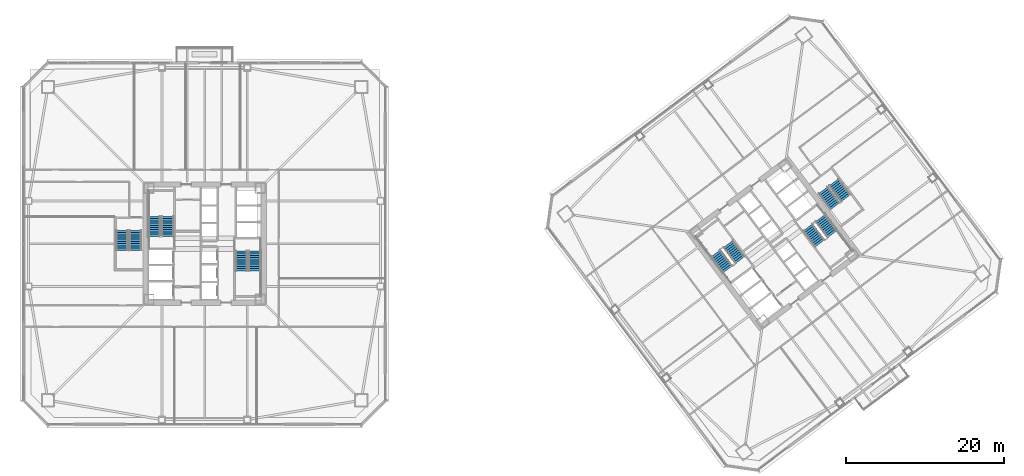
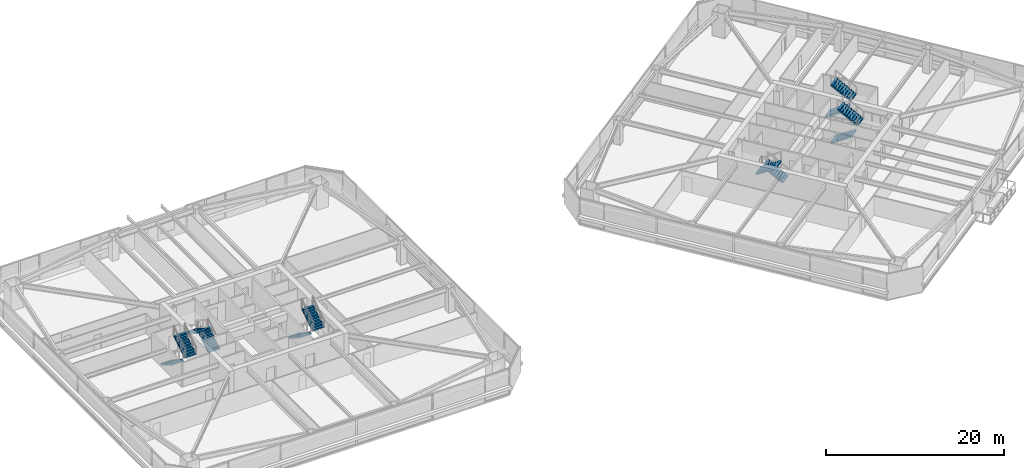
# One storey, part 43 of 51: 12 stair flights, 6 elements without a shape of their own.
"""IFC4 building model written with IfcOpenShell, lengths in metres."""

from ifc_helpers import new_model, si_unit, direction, frame, origin, place, context, subcontext, project, spatial, polyline, outline, extrude, material, type_object, element, aggregate, save


model = new_model("IFC4")

# Units and contexts
model_context = context("Model", 3, precision=1e-05, world=origin(), true_north=direction((0.0, 1.0)))
body_context = subcontext(model_context, "Body", "Model", "MODEL_VIEW")
ifc_project = project(units=[si_unit("LENGTHUNIT", "METRE"), si_unit("AREAUNIT", "SQUARE_METRE"), si_unit("VOLUMEUNIT", "CUBIC_METRE"), si_unit("PLANEANGLEUNIT", "RADIAN"), si_unit("MASSUNIT", "GRAM", prefix="KILO")], contexts=[model_context])

# Site, building, storey
site_placement = place(None, origin())
site = spatial("IfcSite", under=ifc_project, at=site_placement, CompositionType="ELEMENT")
building_placement = place(site_placement, origin())
building = spatial("IfcBuilding", under=site, at=building_placement, Name="Tashvorn Skyway Center", CompositionType="ELEMENT")
storey_placement = place(building_placement, frame((0.0, 0.0, 49.449951171875)))
storey = spatial("IfcBuildingStorey", under=building, at=storey_placement, Name="L12", CompositionType="ELEMENT", Elevation=49.449951171875)

# Stair, stair flights
ifc_material = material(Name="Concrete C40/50", Category="concrete")
stair_type = type_object("IfcStairType", Name="STAIR-CORE-1500", PredefinedType="HALF_TURN_STAIR", material=ifc_material)
stair_1_placement = place(storey_placement, origin())
stair_1 = element("IfcStair", 1, at=stair_1_placement, inside=storey, type_object=stair_type, Name="L12 Tower 1 Exit Stair 1", PredefinedType="HALF_TURN_STAIR")
stair_flight_type = type_object("IfcStairFlightType", Name="SFLIGHT-1500", PredefinedType="STRAIGHT", material=ifc_material)
stair_flight_1_placement = place(storey_placement, frame((37.35009765625, 32.919921875, 0.0), z_axis=(0.0, 0.0, 1.0), x_axis=(0.0, 1.0, 0.0)))
stair_flight_1 = element("IfcStairFlight", 2, at=stair_flight_1_placement, type_object=stair_flight_type, Name="ST-T1-1 flight 1", NumberOfRisers=10, NumberOfTreads=9, PredefinedType="STRAIGHT", RiserHeight=0.1775, TreadLength=0.28, context=body_context, shape_type="SweptSolid", body=[
    extrude(outline(polyline([(0.0, 0.0), (0.0, 0.177490234375), (0.280029296875, 0.177490234375), (0.280029296875, 0.35498046875), (0.56005859375, 0.35498046875), (0.56005859375, 0.532470703125), (0.840087890625, 0.532470703125), (0.840087890625, 0.7099609375), (1.1201171875, 0.7099609375), (1.1201171875, 0.887451171875), (1.39990234375, 0.887451171875), (1.39990234375, 1.06494140625), (1.679931640625, 1.06494140625), (1.679931640625, 1.242431640625), (1.9599609375, 1.242431640625), (1.9599609375, 1.419921875), (2.239990234375, 1.419921875), (2.239990234375, 1.597412109375), (2.52001953125, 1.597412109375), (2.52001953125, 1.77490234375), (2.52001953125, 1.419921875), (0.280029296875, 0.0), (0.0, 0.0)])), frame((0.0, 0.75, 0.0), z_axis=(0.0, -1.0, 0.0), x_axis=(1.0, 0.0, 0.0)), (0.0, 0.0, 1.0), 1.5),
])
stair_flight_2_placement = place(storey_placement, frame((35.64990234375, 35.43994140625, 1.775146484375), z_axis=(0.0, 0.0, 1.0), x_axis=(0.0, -1.0, 0.0)))
stair_flight_2 = element("IfcStairFlight", 3, at=stair_flight_2_placement, type_object=stair_flight_type, Name="ST-T1-1 flight 2", NumberOfRisers=10, NumberOfTreads=9, PredefinedType="STRAIGHT", RiserHeight=0.1775, TreadLength=0.28, context=body_context, shape_type="SweptSolid", body=[
    extrude(outline(polyline([(0.0, 0.0), (0.0, 0.177490234375), (0.280029296875, 0.177490234375), (0.280029296875, 0.35498046875), (0.56005859375, 0.35498046875), (0.56005859375, 0.532470703125), (0.840087890625, 0.532470703125), (0.840087890625, 0.7099609375), (1.1201171875, 0.7099609375), (1.1201171875, 0.887451171875), (1.39990234375, 0.887451171875), (1.39990234375, 1.06494140625), (1.679931640625, 1.06494140625), (1.679931640625, 1.242431640625), (1.9599609375, 1.242431640625), (1.9599609375, 1.419921875), (2.239990234375, 1.419921875), (2.239990234375, 1.597412109375), (2.52001953125, 1.597412109375), (2.52001953125, 1.77490234375), (2.52001953125, 1.419921875), (0.280029296875, 0.0), (0.0, 0.0)])), frame((0.0, 0.75, 0.0), z_axis=(0.0, -1.0, 0.0), x_axis=(1.0, 0.0, 0.0)), (0.0, 0.0, 1.0), 1.5),
])
aggregate(stair_1, [stair_flight_1, stair_flight_2])

stair_2_placement = place(storey_placement, origin())
stair_2 = element("IfcStair", 4, at=stair_2_placement, inside=storey, type_object=stair_type, Name="L12 Tower 1 Exit Stair 2", PredefinedType="HALF_TURN_STAIR")
stair_flight_3_placement = place(storey_placement, frame((46.64990234375, 31.080078125, 0.0), z_axis=(0.0, 0.0, 1.0), x_axis=(0.0, -1.0, 0.0)))
stair_flight_3 = element("IfcStairFlight", 5, at=stair_flight_3_placement, type_object=stair_flight_type, Name="ST-T1-2 flight 1", NumberOfRisers=10, NumberOfTreads=9, PredefinedType="STRAIGHT", RiserHeight=0.1775, TreadLength=0.28, context=body_context, shape_type="SweptSolid", body=[
    extrude(outline(polyline([(0.0, 0.0), (0.0, 0.177490234375), (0.280029296875, 0.177490234375), (0.280029296875, 0.35498046875), (0.56005859375, 0.35498046875), (0.56005859375, 0.532470703125), (0.840087890625, 0.532470703125), (0.840087890625, 0.7099609375), (1.1201171875, 0.7099609375), (1.1201171875, 0.887451171875), (1.39990234375, 0.887451171875), (1.39990234375, 1.06494140625), (1.679931640625, 1.06494140625), (1.679931640625, 1.242431640625), (1.9599609375, 1.242431640625), (1.9599609375, 1.419921875), (2.239990234375, 1.419921875), (2.239990234375, 1.597412109375), (2.52001953125, 1.597412109375), (2.52001953125, 1.77490234375), (2.52001953125, 1.419921875), (0.280029296875, 0.0), (0.0, 0.0)])), frame((0.0, 0.75, 0.0), z_axis=(0.0, -1.0, 0.0), x_axis=(1.0, 0.0, 0.0)), (0.0, 0.0, 1.0), 1.5),
])
stair_flight_4_placement = place(storey_placement, frame((48.35009765625, 28.56005859375, 1.775146484375), z_axis=(0.0, 0.0, 1.0), x_axis=(0.0, 1.0, 0.0)))
stair_flight_4 = element("IfcStairFlight", 6, at=stair_flight_4_placement, type_object=stair_flight_type, Name="ST-T1-2 flight 2", NumberOfRisers=10, NumberOfTreads=9, PredefinedType="STRAIGHT", RiserHeight=0.1775, TreadLength=0.28, context=body_context, shape_type="SweptSolid", body=[
    extrude(outline(polyline([(0.0, 0.0), (0.0, 0.177490234375), (0.280029296875, 0.177490234375), (0.280029296875, 0.35498046875), (0.56005859375, 0.35498046875), (0.56005859375, 0.532470703125), (0.840087890625, 0.532470703125), (0.840087890625, 0.7099609375), (1.1201171875, 0.7099609375), (1.1201171875, 0.887451171875), (1.39990234375, 0.887451171875), (1.39990234375, 1.06494140625), (1.679931640625, 1.06494140625), (1.679931640625, 1.242431640625), (1.9599609375, 1.242431640625), (1.9599609375, 1.419921875), (2.239990234375, 1.419921875), (2.239990234375, 1.597412109375), (2.52001953125, 1.597412109375), (2.52001953125, 1.77490234375), (2.52001953125, 1.419921875), (0.280029296875, 0.0), (0.0, 0.0)])), frame((0.0, 0.75, 0.0), z_axis=(0.0, -1.0, 0.0), x_axis=(1.0, 0.0, 0.0)), (0.0, 0.0, 1.0), 1.5),
])
aggregate(stair_2, [stair_flight_3, stair_flight_4])

stair_3_placement = place(storey_placement, origin())
stair_3 = element("IfcStair", 7, at=stair_3_placement, inside=storey, type_object=stair_type, Name="L12 Tower 2 Exit Stair 1", PredefinedType="HALF_TURN_STAIR")
stair_flight_5_placement = place(storey_placement, frame((109.72802734375, 29.946044921875, 0.0), z_axis=(0.0, 0.0, 1.0), x_axis=(-0.600000004945, 0.799999996291, 0.0)))
stair_flight_5 = element("IfcStairFlight", 8, at=stair_flight_5_placement, type_object=stair_flight_type, Name="ST-T2-1 flight 1", NumberOfRisers=10, NumberOfTreads=9, PredefinedType="STRAIGHT", RiserHeight=0.1775, TreadLength=0.28, context=body_context, shape_type="SweptSolid", body=[
    extrude(outline(polyline([(0.0, 0.0), (0.0, 0.177490234375), (0.280029296875, 0.177490234375), (0.280029296875, 0.35498046875), (0.56005859375, 0.35498046875), (0.56005859375, 0.532470703125), (0.840087890625, 0.532470703125), (0.840087890625, 0.7099609375), (1.1201171875, 0.7099609375), (1.1201171875, 0.887451171875), (1.39990234375, 0.887451171875), (1.39990234375, 1.06494140625), (1.679931640625, 1.06494140625), (1.679931640625, 1.242431640625), (1.9599609375, 1.242431640625), (1.9599609375, 1.419921875), (2.239990234375, 1.419921875), (2.239990234375, 1.597412109375), (2.52001953125, 1.597412109375), (2.52001953125, 1.77490234375), (2.52001953125, 1.419921875), (0.280029296875, 0.0), (0.0, 0.0)])), frame((0.0, 0.75, 0.0), z_axis=(0.0, -1.0, 0.0), x_axis=(1.0, 0.0, 0.0)), (0.0, 0.0, 1.0), 1.5),
])
stair_flight_6_placement = place(storey_placement, frame((106.632080078125, 30.77392578125, 1.775146484375), z_axis=(0.0, 0.0, 1.0), x_axis=(0.600000004945, -0.799999996291, 0.0)))
stair_flight_6 = element("IfcStairFlight", 9, at=stair_flight_6_placement, type_object=stair_flight_type, Name="ST-T2-1 flight 2", NumberOfRisers=10, NumberOfTreads=9, PredefinedType="STRAIGHT", RiserHeight=0.1775, TreadLength=0.28, context=body_context, shape_type="SweptSolid", body=[
    extrude(outline(polyline([(0.0, 0.0), (0.0, 0.177490234375), (0.280029296875, 0.177490234375), (0.280029296875, 0.35498046875), (0.56005859375, 0.35498046875), (0.56005859375, 0.532470703125), (0.840087890625, 0.532470703125), (0.840087890625, 0.7099609375), (1.1201171875, 0.7099609375), (1.1201171875, 0.887451171875), (1.39990234375, 0.887451171875), (1.39990234375, 1.06494140625), (1.679931640625, 1.06494140625), (1.679931640625, 1.242431640625), (1.9599609375, 1.242431640625), (1.9599609375, 1.419921875), (2.239990234375, 1.419921875), (2.239990234375, 1.597412109375), (2.52001953125, 1.597412109375), (2.52001953125, 1.77490234375), (2.52001953125, 1.419921875), (0.280029296875, 0.0), (0.0, 0.0)])), frame((0.0, 0.75, 0.0), z_axis=(0.0, -1.0, 0.0), x_axis=(1.0, 0.0, 0.0)), (0.0, 0.0, 1.0), 1.5),
])
aggregate(stair_3, [stair_flight_5, stair_flight_6])

stair_4_placement = place(storey_placement, origin())
stair_4 = element("IfcStair", 10, at=stair_4_placement, inside=storey, type_object=stair_type, Name="L12 Tower 2 Exit Stair 2", PredefinedType="HALF_TURN_STAIR")
stair_flight_7_placement = place(storey_placement, frame((118.27197265625, 34.053955078125, 0.0), z_axis=(0.0, 0.0, 1.0), x_axis=(0.600000004945, -0.799999996291, 0.0)))
stair_flight_7 = element("IfcStairFlight", 11, at=stair_flight_7_placement, type_object=stair_flight_type, Name="ST-T2-2 flight 1", NumberOfRisers=10, NumberOfTreads=9, PredefinedType="STRAIGHT", RiserHeight=0.1775, TreadLength=0.28, context=body_context, shape_type="SweptSolid", body=[
    extrude(outline(polyline([(0.0, 0.0), (0.0, 0.177490234375), (0.280029296875, 0.177490234375), (0.280029296875, 0.35498046875), (0.56005859375, 0.35498046875), (0.56005859375, 0.532470703125), (0.840087890625, 0.532470703125), (0.840087890625, 0.7099609375), (1.1201171875, 0.7099609375), (1.1201171875, 0.887451171875), (1.39990234375, 0.887451171875), (1.39990234375, 1.06494140625), (1.679931640625, 1.06494140625), (1.679931640625, 1.242431640625), (1.9599609375, 1.242431640625), (1.9599609375, 1.419921875), (2.239990234375, 1.419921875), (2.239990234375, 1.597412109375), (2.52001953125, 1.597412109375), (2.52001953125, 1.77490234375), (2.52001953125, 1.419921875), (0.280029296875, 0.0), (0.0, 0.0)])), frame((0.0, 0.75, 0.0), z_axis=(0.0, -1.0, 0.0), x_axis=(1.0, 0.0, 0.0)), (0.0, 0.0, 1.0), 1.5),
])
stair_flight_8_placement = place(storey_placement, frame((121.367919921875, 33.22607421875, 1.775146484375), z_axis=(0.0, 0.0, 1.0), x_axis=(-0.600000004945, 0.799999996291, 0.0)))
stair_flight_8 = element("IfcStairFlight", 12, at=stair_flight_8_placement, type_object=stair_flight_type, Name="ST-T2-2 flight 2", NumberOfRisers=10, NumberOfTreads=9, PredefinedType="STRAIGHT", RiserHeight=0.1775, TreadLength=0.28, context=body_context, shape_type="SweptSolid", body=[
    extrude(outline(polyline([(0.0, 0.0), (0.0, 0.177490234375), (0.280029296875, 0.177490234375), (0.280029296875, 0.35498046875), (0.56005859375, 0.35498046875), (0.56005859375, 0.532470703125), (0.840087890625, 0.532470703125), (0.840087890625, 0.7099609375), (1.1201171875, 0.7099609375), (1.1201171875, 0.887451171875), (1.39990234375, 0.887451171875), (1.39990234375, 1.06494140625), (1.679931640625, 1.06494140625), (1.679931640625, 1.242431640625), (1.9599609375, 1.242431640625), (1.9599609375, 1.419921875), (2.239990234375, 1.419921875), (2.239990234375, 1.597412109375), (2.52001953125, 1.597412109375), (2.52001953125, 1.77490234375), (2.52001953125, 1.419921875), (0.280029296875, 0.0), (0.0, 0.0)])), frame((0.0, 0.75, 0.0), z_axis=(0.0, -1.0, 0.0), x_axis=(1.0, 0.0, 0.0)), (0.0, 0.0, 1.0), 1.5),
])
aggregate(stair_4, [stair_flight_7, stair_flight_8])

stair_5_placement = place(storey_placement, origin())
stair_5 = element("IfcStair", 13, at=stair_5_placement, inside=storey, type_object=stair_type, Name="L12 Tower 1 Exit Stair 3", PredefinedType="HALF_TURN_STAIR")
stair_flight_9_placement = place(storey_placement, frame((31.550048828125, 33.679931640625, 0.0), z_axis=(0.0, 0.0, 1.0), x_axis=(0.0, -1.0, 0.0)))
stair_flight_9 = element("IfcStairFlight", 14, at=stair_flight_9_placement, type_object=stair_flight_type, Name="ST-T1-3 flight 1", NumberOfRisers=10, NumberOfTreads=9, PredefinedType="STRAIGHT", RiserHeight=0.1775, TreadLength=0.28, context=body_context, shape_type="SweptSolid", body=[
    extrude(outline(polyline([(0.0, 0.0), (0.0, 0.177490234375), (0.280029296875, 0.177490234375), (0.280029296875, 0.35498046875), (0.56005859375, 0.35498046875), (0.56005859375, 0.532470703125), (0.840087890625, 0.532470703125), (0.840087890625, 0.7099609375), (1.1201171875, 0.7099609375), (1.1201171875, 0.887451171875), (1.39990234375, 0.887451171875), (1.39990234375, 1.06494140625), (1.679931640625, 1.06494140625), (1.679931640625, 1.242431640625), (1.9599609375, 1.242431640625), (1.9599609375, 1.419921875), (2.239990234375, 1.419921875), (2.239990234375, 1.597412109375), (2.52001953125, 1.597412109375), (2.52001953125, 1.77490234375), (2.52001953125, 1.419921875), (0.280029296875, 0.0), (0.0, 0.0)])), frame((0.0, 0.75, 0.0), z_axis=(0.0, -1.0, 0.0), x_axis=(1.0, 0.0, 0.0)), (0.0, 0.0, 1.0), 1.5),
])
stair_flight_10_placement = place(storey_placement, frame((33.25, 31.159912109375, 1.775146484375), z_axis=(0.0, 0.0, 1.0), x_axis=(0.0, 1.0, 0.0)))
stair_flight_10 = element("IfcStairFlight", 15, at=stair_flight_10_placement, type_object=stair_flight_type, Name="ST-T1-3 flight 2", NumberOfRisers=10, NumberOfTreads=9, PredefinedType="STRAIGHT", RiserHeight=0.1775, TreadLength=0.28, context=body_context, shape_type="SweptSolid", body=[
    extrude(outline(polyline([(0.0, 0.0), (0.0, 0.177490234375), (0.280029296875, 0.177490234375), (0.280029296875, 0.35498046875), (0.56005859375, 0.35498046875), (0.56005859375, 0.532470703125), (0.840087890625, 0.532470703125), (0.840087890625, 0.7099609375), (1.1201171875, 0.7099609375), (1.1201171875, 0.887451171875), (1.39990234375, 0.887451171875), (1.39990234375, 1.06494140625), (1.679931640625, 1.06494140625), (1.679931640625, 1.242431640625), (1.9599609375, 1.242431640625), (1.9599609375, 1.419921875), (2.239990234375, 1.419921875), (2.239990234375, 1.597412109375), (2.52001953125, 1.597412109375), (2.52001953125, 1.77490234375), (2.52001953125, 1.419921875), (0.280029296875, 0.0), (0.0, 0.0)])), frame((0.0, 0.75, 0.0), z_axis=(0.0, -1.0, 0.0), x_axis=(1.0, 0.0, 0.0)), (0.0, 0.0, 1.0), 1.5),
])
aggregate(stair_5, [stair_flight_9, stair_flight_10])

stair_6_placement = place(storey_placement, origin())
stair_6 = element("IfcStair", 16, at=stair_6_placement, inside=storey, type_object=stair_type, Name="L12 Tower 2 Exit Stair 3", PredefinedType="HALF_TURN_STAIR")
stair_flight_11_placement = place(storey_placement, frame((120.216064453125, 38.761962890625, 0.0), z_axis=(0.0, 0.0, 1.0), x_axis=(0.600000004945, -0.799999996291, 0.0)))
stair_flight_11 = element("IfcStairFlight", 17, at=stair_flight_11_placement, type_object=stair_flight_type, Name="ST-T2-3 flight 1", NumberOfRisers=10, NumberOfTreads=9, PredefinedType="STRAIGHT", RiserHeight=0.1775, TreadLength=0.28, context=body_context, shape_type="SweptSolid", body=[
    extrude(outline(polyline([(0.0, 0.0), (0.0, 0.177490234375), (0.280029296875, 0.177490234375), (0.280029296875, 0.35498046875), (0.56005859375, 0.35498046875), (0.56005859375, 0.532470703125), (0.840087890625, 0.532470703125), (0.840087890625, 0.7099609375), (1.1201171875, 0.7099609375), (1.1201171875, 0.887451171875), (1.39990234375, 0.887451171875), (1.39990234375, 1.06494140625), (1.679931640625, 1.06494140625), (1.679931640625, 1.242431640625), (1.9599609375, 1.242431640625), (1.9599609375, 1.419921875), (2.239990234375, 1.419921875), (2.239990234375, 1.597412109375), (2.52001953125, 1.597412109375), (2.52001953125, 1.77490234375), (2.52001953125, 1.419921875), (0.280029296875, 0.0), (0.0, 0.0)])), frame((0.0, 0.75, 0.0), z_axis=(0.0, -1.0, 0.0), x_axis=(1.0, 0.0, 0.0)), (0.0, 0.0, 1.0), 1.5),
])
stair_flight_12_placement = place(storey_placement, frame((123.087890625, 37.76611328125, 1.775146484375), z_axis=(0.0, 0.0, 1.0), x_axis=(-0.600000004945, 0.799999996291, 0.0)))
stair_flight_12 = element("IfcStairFlight", 18, at=stair_flight_12_placement, type_object=stair_flight_type, Name="ST-T2-3 flight 2", NumberOfRisers=10, NumberOfTreads=9, PredefinedType="STRAIGHT", RiserHeight=0.1775, TreadLength=0.28, context=body_context, shape_type="SweptSolid", body=[
    extrude(outline(polyline([(0.0, 0.0), (0.0, 0.177490234375), (0.280029296875, 0.177490234375), (0.280029296875, 0.35498046875), (0.56005859375, 0.35498046875), (0.56005859375, 0.532470703125), (0.840087890625, 0.532470703125), (0.840087890625, 0.7099609375), (1.1201171875, 0.7099609375), (1.1201171875, 0.887451171875), (1.39990234375, 0.887451171875), (1.39990234375, 1.06494140625), (1.679931640625, 1.06494140625), (1.679931640625, 1.242431640625), (1.9599609375, 1.242431640625), (1.9599609375, 1.419921875), (2.239990234375, 1.419921875), (2.239990234375, 1.597412109375), (2.52001953125, 1.597412109375), (2.52001953125, 1.77490234375), (2.52001953125, 1.419921875), (0.280029296875, 0.0), (0.0, 0.0)])), frame((0.0, 0.75, 0.0), z_axis=(0.0, -1.0, 0.0), x_axis=(1.0, 0.0, 0.0)), (0.0, 0.0, 1.0), 1.5),
])
aggregate(stair_6, [stair_flight_11, stair_flight_12])

save(model, "model.ifc")
